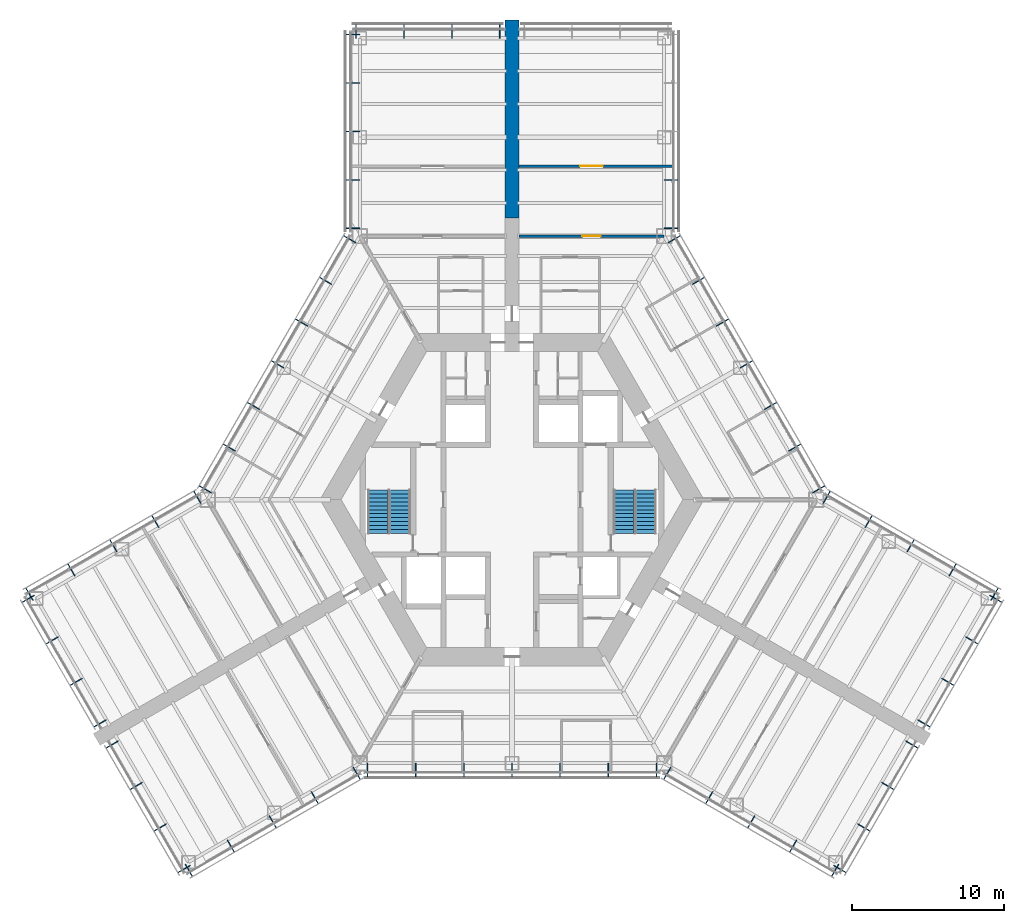
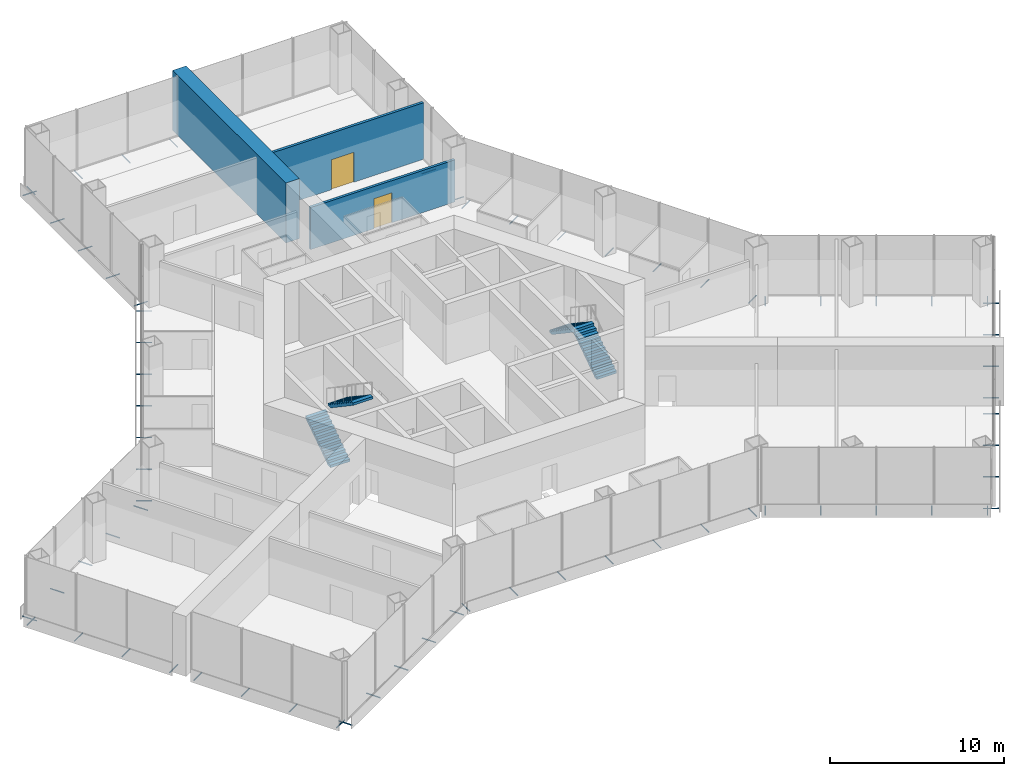
# One storey, part 14 of 17: 68 discrete accessories, 4 stair flights, 3 walls, 2 doors, 2 openings, 2 elements without a shape of their own.
"""IFC4 building model written with IfcOpenShell, lengths in metres."""

from ifc_helpers import new_model, si_unit, direction, frame, frame_2d, origin, origin_2d, place, context, subcontext, project, spatial, polyline, rectangle, hollow_circle, outline, extrude, material, layer, layer_set, material_profile, profile_set, type_object, element, fill, aggregate, save


model = new_model("IFC4")

# Units and contexts
model_context = context("Model", 3, precision=1e-05, world=origin(), true_north=direction((0.0, 1.0)))
body_context = subcontext(model_context, "Body", "Model", "MODEL_VIEW")
ifc_project = project(units=[si_unit("LENGTHUNIT", "METRE"), si_unit("AREAUNIT", "SQUARE_METRE"), si_unit("VOLUMEUNIT", "CUBIC_METRE"), si_unit("PLANEANGLEUNIT", "RADIAN"), si_unit("MASSUNIT", "GRAM", prefix="KILO")], contexts=[model_context])

# Site, building, storey
site_placement = place(None, origin())
site = spatial("IfcSite", under=ifc_project, at=site_placement, CompositionType="ELEMENT")
building_placement = place(site_placement, origin())
building = spatial("IfcBuilding", under=site, at=building_placement, Name="Kasaneha Research Tower", CompositionType="ELEMENT")
storey_placement = place(building_placement, frame((0.0, 0.0, 47.800048828125)))
storey = spatial("IfcBuildingStorey", under=building, at=storey_placement, Name="L12", CompositionType="ELEMENT", Elevation=47.800048828125)

# Wall, opening, door
ifc_material_1 = material(Name="Gypsum board on steel studs, two layers each side", Category="steel")
ifc_layer_1 = layer(ifc_material_1, 0.175048828125)
ifc_layer_set_1 = layer_set([ifc_layer_1], Name="Laboratory fire partition 175")
wall_type_1 = type_object("IfcWallType", Name="Laboratory fire partition 175", PredefinedType="PARTITIONING", material=ifc_layer_set_1)
wall_1_placement = place(storey_placement, frame((0.449951171875, 17.320556640625, 0.0), z_axis=(0.0, 0.0, 1.0), x_axis=(1.0, 0.0, 0.0)))
wall_1 = element("IfcWall", 1, at=wall_1_placement, inside=storey, type_object=wall_type_1, Name="Laboratory fire partition LABA-E L12", PredefinedType="PARTITIONING", context=body_context, shape_type="SweptSolid", body=[
    extrude(rectangle(XDim=9.550048828125, YDim=0.175048828125, at=frame_2d((4.77490234375, 0.0))), origin(), (0.0, 0.0, 1.0), 2.949951171875),
])
opening_1_placement = place(wall_1_placement, frame((4.175048828125, 0.0, 0.0)))
opening_1 = element("IfcOpeningElement", 2, at=opening_1_placement, cuts=wall_1, Name="Opening L12-D30", PredefinedType="OPENING", context=body_context, shape_type="SweptSolid", body=[
    extrude(rectangle(XDim=1.199951171875, YDim=2.10009765625, at=frame_2d((0.60009765625, 1.050048828125))), frame((0.0, 0.09765625, 0.0), z_axis=(0.0, -1.0, 0.0), x_axis=(1.0, 0.0, 0.0)), (0.0, 0.0, 1.0), 0.195068359375),
])
ifc_material_2 = material(Name="Steel", Category="steel")
door_type_1 = type_object("IfcDoorType", Name="Laboratory door FD60 1200x2100", OperationType="DOUBLE_DOOR_SINGLE_SWING", PredefinedType="DOOR", material=ifc_material_2)
door_1_placement = place(opening_1_placement, origin())
door_1 = element("IfcDoor", 3, at=door_1_placement, inside=storey, type_object=door_type_1, Name="Laboratory door L12-D30", OperationType="DOUBLE_DOOR_SINGLE_SWING", OverallHeight=2.10009765625, OverallWidth=1.199951171875, PredefinedType="DOOR", context=body_context, shape_type="SweptSolid", body=[
    extrude(rectangle(XDim=1.199951171875, YDim=2.10009765625, at=frame_2d((0.60009765625, 1.050048828125))), frame((0.0, 0.02490234375, 0.0), z_axis=(0.0, -1.0, 0.0), x_axis=(1.0, 0.0, 0.0)), (0.0, 0.0, 1.0), 0.050048828125),
])
fill(opening_1, door_1)

wall_2_placement = place(storey_placement, frame((0.449951171875, 21.92041015625, 0.0), z_axis=(0.0, 0.0, 1.0), x_axis=(1.0, 0.0, 0.0)))
wall_2 = element("IfcWall", 4, at=wall_2_placement, inside=storey, type_object=wall_type_1, Name="Laboratory fire partition INSA-E L12", PredefinedType="PARTITIONING", context=body_context, shape_type="SweptSolid", body=[
    extrude(rectangle(XDim=10.14013671875, YDim=0.175048828125, at=frame_2d((5.070068359375, 0.0))), origin(), (0.0, 0.0, 1.0), 3.949951171875),
])
opening_2_placement = place(wall_2_placement, frame((4.02490234375, 0.0, 0.0)))
opening_2 = element("IfcOpeningElement", 5, at=opening_2_placement, cuts=wall_2, Name="Opening L12-D33", PredefinedType="OPENING", context=body_context, shape_type="SweptSolid", body=[
    extrude(rectangle(XDim=1.5, YDim=2.10009765625, at=frame_2d((0.75, 1.050048828125))), frame((0.0, 0.09765625, 0.0), z_axis=(0.0, -1.0, 0.0), x_axis=(1.0, 0.0, 0.0)), (0.0, 0.0, 1.0), 0.195068359375),
])
ifc_material_3 = material(Name="Steel", Category="steel")
door_type_2 = type_object("IfcDoorType", Name="Laboratory door FD60 1500x2100", OperationType="DOUBLE_DOOR_SINGLE_SWING", PredefinedType="DOOR", material=ifc_material_3)
door_2_placement = place(opening_2_placement, origin())
door_2 = element("IfcDoor", 6, at=door_2_placement, inside=storey, type_object=door_type_2, Name="Instrument room door L12-D33", OperationType="DOUBLE_DOOR_SINGLE_SWING", OverallHeight=2.10009765625, OverallWidth=1.5, PredefinedType="DOOR", context=body_context, shape_type="SweptSolid", body=[
    extrude(rectangle(XDim=1.5, YDim=2.10009765625, at=frame_2d((0.75, 1.050048828125))), frame((0.0, 0.02490234375, 0.0), z_axis=(0.0, -1.0, 0.0), x_axis=(1.0, 0.0, 0.0)), (0.0, 0.0, 1.0), 0.050048828125),
])
fill(opening_2, door_2)

# Wall
ifc_material_4 = material(Name="Concrete Fc100", Category="concrete")
ifc_layer_2 = layer(ifc_material_4, 0.89990234375)
ifc_layer_set_2 = layer_set([ifc_layer_2], Name="Spine wall 900 Fc100")
wall_type_2 = type_object("IfcWallType", Name="Spine wall 900 Fc100", PredefinedType="SHEAR", material=ifc_layer_set_2)
wall_3_placement = place(storey_placement, frame((0.0, 18.5205078125, 0.0), z_axis=(0.0, 0.0, 1.0), x_axis=(0.0, 1.0, 0.0)))
element("IfcWall", 7, at=wall_3_placement, inside=storey, type_object=wall_type_2, Name="Spine wall A wing L12", PredefinedType="SHEAR", context=body_context, shape_type="SweptSolid", body=[
    extrude(rectangle(XDim=13.0, YDim=0.89990234375, at=frame_2d((6.5, 0.0))), origin(), (0.0, 0.0, 1.0), 4.199951171875),
])

# Stair, stair flights
ifc_material_5 = material(Name="Concrete Fc24", Category="concrete")
stair_type = type_object("IfcStairType", Name="Half-turn stair 24 risers", PredefinedType="HALF_TURN_STAIR", material=ifc_material_5)
stair_1_placement = place(storey_placement, origin())
stair_1 = element("IfcStair", 8, at=stair_1_placement, inside=storey, type_object=stair_type, Name="Stair 1 L12", PredefinedType="HALF_TURN_STAIR")
ifc_material_6 = material(Name="Concrete Fc24", Category="concrete")
stair_flight_type = type_object("IfcStairFlightType", Name="Stair flight 12 risers 175.0", PredefinedType="STRAIGHT", material=ifc_material_6)
stair_flight_1_placement = place(storey_placement, frame((8.824951171875, -2.22509765625, 0.0), z_axis=(0.0, 0.0, 1.0), x_axis=(0.0, 1.0, 0.0)))
stair_flight_1 = element("IfcStairFlight", 9, at=stair_flight_1_placement, type_object=stair_flight_type, Name="ST1-24R flight 1", NumberOfRisers=12, NumberOfTreads=11, PredefinedType="STRAIGHT", RiserHeight=0.175, TreadLength=0.26, context=body_context, shape_type="SweptSolid", body=[
    extrude(outline(polyline([(0.0, 0.0), (0.0, 0.175048828125), (0.260009765625, 0.175048828125), (0.260009765625, 0.35009765625), (0.52001953125, 0.35009765625), (0.52001953125, 0.52490234375), (0.780029296875, 0.52490234375), (0.780029296875, 0.699951171875), (1.0400390625, 0.699951171875), (1.0400390625, 0.875), (1.300048828125, 0.875), (1.300048828125, 1.050048828125), (1.56005859375, 1.050048828125), (1.56005859375, 1.22509765625), (1.820068359375, 1.22509765625), (1.820068359375, 1.39990234375), (2.080078125, 1.39990234375), (2.080078125, 1.574951171875), (2.340087890625, 1.574951171875), (2.340087890625, 1.75), (2.60009765625, 1.75), (2.60009765625, 1.925048828125), (2.860107421875, 1.925048828125), (2.860107421875, 2.10009765625), (2.860107421875, 1.744384765625), (0.2685546875, 0.0), (0.0, 0.0)])), frame((0.0, 0.64990234375, 0.0), z_axis=(0.0, -1.0, 0.0), x_axis=(1.0, 0.0, 0.0)), (0.0, 0.0, 1.0), 1.300048828125),
])
stair_flight_2_placement = place(storey_placement, frame((7.324951171875, 0.635009765625, 2.099853515625), z_axis=(0.0, 0.0, 1.0), x_axis=(0.0, -1.0, 0.0)))
stair_flight_2 = element("IfcStairFlight", 10, at=stair_flight_2_placement, type_object=stair_flight_type, Name="ST1-24R flight 2", NumberOfRisers=12, NumberOfTreads=11, PredefinedType="STRAIGHT", RiserHeight=0.175, TreadLength=0.26, context=body_context, shape_type="SweptSolid", body=[
    extrude(outline(polyline([(0.0, 0.0), (0.0, 0.175048828125), (0.260009765625, 0.175048828125), (0.260009765625, 0.35009765625), (0.52001953125, 0.35009765625), (0.52001953125, 0.52490234375), (0.780029296875, 0.52490234375), (0.780029296875, 0.699951171875), (1.0400390625, 0.699951171875), (1.0400390625, 0.875), (1.300048828125, 0.875), (1.300048828125, 1.050048828125), (1.56005859375, 1.050048828125), (1.56005859375, 1.22509765625), (1.820068359375, 1.22509765625), (1.820068359375, 1.39990234375), (2.080078125, 1.39990234375), (2.080078125, 1.574951171875), (2.340087890625, 1.574951171875), (2.340087890625, 1.75), (2.60009765625, 1.75), (2.60009765625, 1.925048828125), (2.860107421875, 1.925048828125), (2.860107421875, 2.10009765625), (2.860107421875, 1.744384765625), (0.2685546875, 0.0), (0.0, 0.0)])), frame((0.0, 0.64990234375, 0.0), z_axis=(0.0, -1.0, 0.0), x_axis=(1.0, 0.0, 0.0)), (0.0, 0.0, 1.0), 1.300048828125),
])
aggregate(stair_1, [stair_flight_1, stair_flight_2])

stair_2_placement = place(storey_placement, origin())
stair_2 = element("IfcStair", 11, at=stair_2_placement, inside=storey, type_object=stair_type, Name="Stair 2 L12", PredefinedType="HALF_TURN_STAIR")
stair_flight_3_placement = place(storey_placement, frame((-8.824951171875, -2.22509765625, 0.0), z_axis=(0.0, 0.0, 1.0), x_axis=(0.0, 1.0, 0.0)))
stair_flight_3 = element("IfcStairFlight", 12, at=stair_flight_3_placement, type_object=stair_flight_type, Name="ST2-24R flight 1", NumberOfRisers=12, NumberOfTreads=11, PredefinedType="STRAIGHT", RiserHeight=0.175, TreadLength=0.26, context=body_context, shape_type="SweptSolid", body=[
    extrude(outline(polyline([(0.0, 0.0), (0.0, 0.175048828125), (0.260009765625, 0.175048828125), (0.260009765625, 0.35009765625), (0.52001953125, 0.35009765625), (0.52001953125, 0.52490234375), (0.780029296875, 0.52490234375), (0.780029296875, 0.699951171875), (1.0400390625, 0.699951171875), (1.0400390625, 0.875), (1.300048828125, 0.875), (1.300048828125, 1.050048828125), (1.56005859375, 1.050048828125), (1.56005859375, 1.22509765625), (1.820068359375, 1.22509765625), (1.820068359375, 1.39990234375), (2.080078125, 1.39990234375), (2.080078125, 1.574951171875), (2.340087890625, 1.574951171875), (2.340087890625, 1.75), (2.60009765625, 1.75), (2.60009765625, 1.925048828125), (2.860107421875, 1.925048828125), (2.860107421875, 2.10009765625), (2.860107421875, 1.744384765625), (0.2685546875, 0.0), (0.0, 0.0)])), frame((0.0, 0.64990234375, 0.0), z_axis=(0.0, -1.0, 0.0), x_axis=(1.0, 0.0, 0.0)), (0.0, 0.0, 1.0), 1.300048828125),
])
stair_flight_4_placement = place(storey_placement, frame((-7.324951171875, 0.635009765625, 2.099853515625), z_axis=(0.0, 0.0, 1.0), x_axis=(0.0, -1.0, 0.0)))
stair_flight_4 = element("IfcStairFlight", 13, at=stair_flight_4_placement, type_object=stair_flight_type, Name="ST2-24R flight 2", NumberOfRisers=12, NumberOfTreads=11, PredefinedType="STRAIGHT", RiserHeight=0.175, TreadLength=0.26, context=body_context, shape_type="SweptSolid", body=[
    extrude(outline(polyline([(0.0, 0.0), (0.0, 0.175048828125), (0.260009765625, 0.175048828125), (0.260009765625, 0.35009765625), (0.52001953125, 0.35009765625), (0.52001953125, 0.52490234375), (0.780029296875, 0.52490234375), (0.780029296875, 0.699951171875), (1.0400390625, 0.699951171875), (1.0400390625, 0.875), (1.300048828125, 0.875), (1.300048828125, 1.050048828125), (1.56005859375, 1.050048828125), (1.56005859375, 1.22509765625), (1.820068359375, 1.22509765625), (1.820068359375, 1.39990234375), (2.080078125, 1.39990234375), (2.080078125, 1.574951171875), (2.340087890625, 1.574951171875), (2.340087890625, 1.75), (2.60009765625, 1.75), (2.60009765625, 1.925048828125), (2.860107421875, 1.925048828125), (2.860107421875, 2.10009765625), (2.860107421875, 1.744384765625), (0.2685546875, 0.0), (0.0, 0.0)])), frame((0.0, 0.64990234375, 0.0), z_axis=(0.0, -1.0, 0.0), x_axis=(1.0, 0.0, 0.0)), (0.0, 0.0, 1.0), 1.300048828125),
])
aggregate(stair_2, [stair_flight_3, stair_flight_4])

# Discrete accessories
ifc_material_7 = material(Name="Steel STK400", Category="steel")
ifc_material_profile = material_profile(ifc_material_7, hollow_circle(Radius=0.0380859375, WallThickness=0.00390625, at=origin_2d()), Name="CHS-76.3x4.0")
ifc_profile_set = profile_set([ifc_material_profile], Name="Steel STK400")
discrete_accessory_type = type_object("IfcDiscreteAccessoryType", Name="Screen bracket CHS-76.3x4.0", PredefinedType="BRACKET", material=ifc_profile_set)
discrete_accessory_1_placement = place(storey_placement, frame((-21.474853515625, -23.945556640625, -0.320068359375), z_axis=(0.500021113727, -0.866013213425, 0.0), x_axis=(0.866013213425, 0.500021113727, 0.0)))
element("IfcDiscreteAccessory", 14, at=discrete_accessory_1_placement, inside=storey, type_object=discrete_accessory_type, Name="Screen bracket 1", PredefinedType="BRACKET", context=body_context, shape_type="SweptSolid", body=[
    extrude(hollow_circle(Radius=0.0380859375, WallThickness=0.00390625, at=origin_2d()), origin(), (0.0, 0.0, 1.0), 0.919921875),
])
discrete_accessory_2_placement = place(storey_placement, frame((-18.716796875, -22.35302734375, -0.320068359375), z_axis=(0.500105201737, -0.865964657013, 0.0), x_axis=(0.865964657013, 0.500105201737, 0.0)))
element("IfcDiscreteAccessory", 15, at=discrete_accessory_2_placement, inside=storey, type_object=discrete_accessory_type, Name="Screen bracket 2", PredefinedType="BRACKET", context=body_context, shape_type="SweptSolid", body=[
    extrude(hollow_circle(Radius=0.0380859375, WallThickness=0.00390625, at=origin_2d()), origin(), (0.0, 0.0, 1.0), 0.920166015625),
])
discrete_accessory_3_placement = place(storey_placement, frame((-15.95849609375, -20.7607421875, -0.320068359375), z_axis=(0.500021113727, -0.866013213425, 0.0), x_axis=(0.866013213425, 0.500021113727, 0.0)))
element("IfcDiscreteAccessory", 16, at=discrete_accessory_3_placement, inside=storey, type_object=discrete_accessory_type, Name="Screen bracket 3", PredefinedType="BRACKET", context=body_context, shape_type="SweptSolid", body=[
    extrude(hollow_circle(Radius=0.0380859375, WallThickness=0.00390625, at=origin_2d()), origin(), (0.0, 0.0, 1.0), 0.919921875),
])
discrete_accessory_4_placement = place(storey_placement, frame((-13.200439453125, -19.168212890625, -0.320068359375), z_axis=(0.499906209203, -0.866079547155, 0.0), x_axis=(0.866079547155, 0.499906209203, 0.0)))
element("IfcDiscreteAccessory", 17, at=discrete_accessory_4_placement, inside=storey, type_object=discrete_accessory_type, Name="Screen bracket 4", PredefinedType="BRACKET", context=body_context, shape_type="SweptSolid", body=[
    extrude(hollow_circle(Radius=0.0380859375, WallThickness=0.00390625, at=origin_2d()), origin(), (0.0, 0.0, 1.0), 0.920166015625),
])
for number, where, z_axis, x_axis, name in (
    (18, (-10.4423828125, -17.575927734375, -0.320068359375), (0.500021113727, -0.866013213425, 0.0), (0.866013213425, 0.500021113727, 0.0), "Screen bracket 5"),
    (19, (-9.4892578125, -17.320556640625, -0.320068359375), (0.0, -1.0, 0.0), (1.0, 0.0, 0.0), "Screen bracket 1"),
    (20, (-6.326171875, -17.320556640625, -0.320068359375), (0.0, -1.0, 0.0), (1.0, 0.0, 0.0), "Screen bracket 2"),
    (21, (-3.1630859375, -17.320556640625, -0.320068359375), (0.0, -1.0, 0.0), (1.0, 0.0, 0.0), "Screen bracket 3"),
    (22, (0.0, -17.320556640625, -0.320068359375), (0.0, -1.0, 0.0), (1.0, 0.0, 0.0), "Screen bracket 4"),
    (23, (3.1630859375, -17.320556640625, -0.320068359375), (0.0, -1.0, 0.0), (1.0, 0.0, 0.0), "Screen bracket 5"),
    (24, (6.326171875, -17.320556640625, -0.320068359375), (0.0, -1.0, 0.0), (1.0, 0.0, 0.0), "Screen bracket 6"),
    (25, (9.4892578125, -17.320556640625, -0.320068359375), (0.0, -1.0, 0.0), (1.0, 0.0, 0.0), "Screen bracket 7"),
    (26, (10.4423828125, -17.575927734375, -0.320068359375), (-0.500021113727, -0.866013213425, 0.0), (0.866013213425, -0.500021113727, 0.0), "Screen bracket 1"),
):
    element("IfcDiscreteAccessory", number, at=place(storey_placement, frame(where, z_axis=z_axis, x_axis=x_axis)), inside=storey, type_object=discrete_accessory_type, Name=name, PredefinedType="BRACKET", context=body_context, shape_type="SweptSolid", body=[
        extrude(hollow_circle(Radius=0.0380859375, WallThickness=0.00390625, at=origin_2d()), origin(), (0.0, 0.0, 1.0), 0.919921875),
    ])
discrete_accessory_5_placement = place(storey_placement, frame((13.200439453125, -19.168212890625, -0.320068359375), z_axis=(-0.499906209203, -0.866079547155, 0.0), x_axis=(0.866079547155, -0.499906209203, 0.0)))
element("IfcDiscreteAccessory", 27, at=discrete_accessory_5_placement, inside=storey, type_object=discrete_accessory_type, Name="Screen bracket 2", PredefinedType="BRACKET", context=body_context, shape_type="SweptSolid", body=[
    extrude(hollow_circle(Radius=0.0380859375, WallThickness=0.00390625, at=origin_2d()), origin(), (0.0, 0.0, 1.0), 0.920166015625),
])
discrete_accessory_6_placement = place(storey_placement, frame((15.95849609375, -20.7607421875, -0.320068359375), z_axis=(-0.500021113727, -0.866013213425, 0.0), x_axis=(0.866013213425, -0.500021113727, 0.0)))
element("IfcDiscreteAccessory", 28, at=discrete_accessory_6_placement, inside=storey, type_object=discrete_accessory_type, Name="Screen bracket 3", PredefinedType="BRACKET", context=body_context, shape_type="SweptSolid", body=[
    extrude(hollow_circle(Radius=0.0380859375, WallThickness=0.00390625, at=origin_2d()), origin(), (0.0, 0.0, 1.0), 0.919921875),
])
discrete_accessory_7_placement = place(storey_placement, frame((18.716796875, -22.35302734375, -0.320068359375), z_axis=(-0.500105201737, -0.865964657013, 0.0), x_axis=(0.865964657013, -0.500105201737, 0.0)))
element("IfcDiscreteAccessory", 29, at=discrete_accessory_7_placement, inside=storey, type_object=discrete_accessory_type, Name="Screen bracket 4", PredefinedType="BRACKET", context=body_context, shape_type="SweptSolid", body=[
    extrude(hollow_circle(Radius=0.0380859375, WallThickness=0.00390625, at=origin_2d()), origin(), (0.0, 0.0, 1.0), 0.920166015625),
])
discrete_accessory_8_placement = place(storey_placement, frame((21.474853515625, -23.945556640625, -0.320068359375), z_axis=(-0.500021113727, -0.866013213425, 0.0), x_axis=(0.866013213425, -0.500021113727, 0.0)))
element("IfcDiscreteAccessory", 30, at=discrete_accessory_8_placement, inside=storey, type_object=discrete_accessory_type, Name="Screen bracket 5", PredefinedType="BRACKET", context=body_context, shape_type="SweptSolid", body=[
    extrude(hollow_circle(Radius=0.0380859375, WallThickness=0.00390625, at=origin_2d()), origin(), (0.0, 0.0, 1.0), 0.919921875),
])
for number, where, z_axis, x_axis, name in (
    (31, (21.13330078125, -24.037109375, -0.320068359375), (0.866079547155, -0.499906209203, 0.0), (0.499906209203, 0.866079547155, 0.0), "Screen bracket 1"),
    (32, (22.708251953125, -21.30908203125, -0.320068359375), (0.866079547155, -0.499906209203, 0.0), (0.499906209203, 0.866079547155, 0.0), "Screen bracket 2"),
):
    element("IfcDiscreteAccessory", number, at=place(storey_placement, frame(where, z_axis=z_axis, x_axis=x_axis)), inside=storey, type_object=discrete_accessory_type, Name=name, PredefinedType="BRACKET", context=body_context, shape_type="SweptSolid", body=[
        extrude(hollow_circle(Radius=0.0380859375, WallThickness=0.00390625, at=origin_2d()), origin(), (0.0, 0.0, 1.0), 0.920166015625),
    ])
for number, where, z_axis, x_axis, name in (
    (33, (24.283447265625, -18.5810546875, -0.320068359375), (0.866013213425, -0.500021113727, 0.0), (0.500021113727, 0.866013213425, 0.0), "Screen bracket 3"),
    (34, (25.8583984375, -15.85302734375, -0.320068359375), (0.866013213425, -0.500021113727, 0.0), (0.500021113727, 0.866013213425, 0.0), "Screen bracket 4"),
    (35, (26.658447265625, -14.467529296875, -0.320068359375), (0.866013213425, -0.500021113727, 0.0), (0.500021113727, 0.866013213425, 0.0), "Screen bracket 1"),
    (36, (28.2333984375, -11.739501953125, -0.320068359375), (0.866013213425, -0.500021113727, 0.0), (0.500021113727, 0.866013213425, 0.0), "Screen bracket 2"),
    (37, (29.808349609375, -9.011474609375, -0.320068359375), (0.866013213425, -0.500021113727, 0.0), (0.500021113727, 0.866013213425, 0.0), "Screen bracket 3"),
):
    element("IfcDiscreteAccessory", number, at=place(storey_placement, frame(where, z_axis=z_axis, x_axis=x_axis)), inside=storey, type_object=discrete_accessory_type, Name=name, PredefinedType="BRACKET", context=body_context, shape_type="SweptSolid", body=[
        extrude(hollow_circle(Radius=0.0380859375, WallThickness=0.00390625, at=origin_2d()), origin(), (0.0, 0.0, 1.0), 0.919921875),
    ])
discrete_accessory_9_placement = place(storey_placement, frame((31.38330078125, -6.283447265625, -0.320068359375), z_axis=(0.866079547155, -0.499906209203, 0.0), x_axis=(0.499906209203, 0.866079547155, 0.0)))
element("IfcDiscreteAccessory", 38, at=discrete_accessory_9_placement, inside=storey, type_object=discrete_accessory_type, Name="Screen bracket 4", PredefinedType="BRACKET", context=body_context, shape_type="SweptSolid", body=[
    extrude(hollow_circle(Radius=0.0380859375, WallThickness=0.00390625, at=origin_2d()), origin(), (0.0, 0.0, 1.0), 0.920166015625),
])
discrete_accessory_10_placement = place(storey_placement, frame((31.474853515625, -6.625, -0.320068359375), z_axis=(0.500021113727, 0.866013213425, 0.0), x_axis=(-0.866013213425, 0.500021113727, 0.0)))
element("IfcDiscreteAccessory", 39, at=discrete_accessory_10_placement, inside=storey, type_object=discrete_accessory_type, Name="Screen bracket 1", PredefinedType="BRACKET", context=body_context, shape_type="SweptSolid", body=[
    extrude(hollow_circle(Radius=0.0380859375, WallThickness=0.00390625, at=origin_2d()), origin(), (0.0, 0.0, 1.0), 0.919921875),
])
discrete_accessory_11_placement = place(storey_placement, frame((28.716796875, -5.03271484375, -0.320068359375), z_axis=(0.499906209203, 0.866079547155, 0.0), x_axis=(-0.866079547155, 0.499906209203, 0.0)))
element("IfcDiscreteAccessory", 40, at=discrete_accessory_11_placement, inside=storey, type_object=discrete_accessory_type, Name="Screen bracket 2", PredefinedType="BRACKET", context=body_context, shape_type="SweptSolid", body=[
    extrude(hollow_circle(Radius=0.0380859375, WallThickness=0.00390625, at=origin_2d()), origin(), (0.0, 0.0, 1.0), 0.920166015625),
])
discrete_accessory_12_placement = place(storey_placement, frame((25.95849609375, -3.440185546875, -0.320068359375), z_axis=(0.500220121494, 0.865898279276, 0.0), x_axis=(-0.865898279276, 0.500220121494, 0.0)))
element("IfcDiscreteAccessory", 41, at=discrete_accessory_12_placement, inside=storey, type_object=discrete_accessory_type, Name="Screen bracket 3", PredefinedType="BRACKET", context=body_context, shape_type="SweptSolid", body=[
    extrude(hollow_circle(Radius=0.0380859375, WallThickness=0.00390625, at=origin_2d()), origin(), (0.0, 0.0, 1.0), 0.919921875),
])
discrete_accessory_13_placement = place(storey_placement, frame((23.200439453125, -1.847900390625, -0.320068359375), z_axis=(0.499906209203, 0.866079547155, 0.0), x_axis=(-0.866079547155, 0.499906209203, 0.0)))
element("IfcDiscreteAccessory", 42, at=discrete_accessory_13_placement, inside=storey, type_object=discrete_accessory_type, Name="Screen bracket 4", PredefinedType="BRACKET", context=body_context, shape_type="SweptSolid", body=[
    extrude(hollow_circle(Radius=0.0380859375, WallThickness=0.00390625, at=origin_2d()), origin(), (0.0, 0.0, 1.0), 0.920166015625),
])
for number, where, z_axis, x_axis, name in (
    (43, (20.4423828125, -0.25537109375, -0.320068359375), (0.500021113727, 0.866013213425, 0.0), (-0.866013213425, 0.500021113727, 0.0), "Screen bracket 5"),
    (44, (19.74462890625, 0.4423828125, -0.320068359375), (0.866013213425, 0.500021113727, 0.0), (-0.500021113727, 0.866013213425, 0.0), "Screen bracket 1"),
    (45, (18.1630859375, 3.181640625, -0.320068359375), (0.866013213425, 0.500021113727, 0.0), (-0.500021113727, 0.866013213425, 0.0), "Screen bracket 2"),
    (46, (16.58154296875, 5.9208984375, -0.320068359375), (0.866013213425, 0.500021113727, 0.0), (-0.500021113727, 0.866013213425, 0.0), "Screen bracket 3"),
    (47, (15.0, 8.66015625, -0.320068359375), (0.865898279276, 0.500220121494, 0.0), (-0.500220121494, 0.865898279276, 0.0), "Screen bracket 4"),
    (48, (13.41845703125, 11.399658203125, -0.320068359375), (0.866013213425, 0.500021113727, 0.0), (-0.500021113727, 0.866013213425, 0.0), "Screen bracket 5"),
    (49, (11.8369140625, 14.138916015625, -0.320068359375), (0.866013213425, 0.500021113727, 0.0), (-0.500021113727, 0.866013213425, 0.0), "Screen bracket 6"),
):
    element("IfcDiscreteAccessory", number, at=place(storey_placement, frame(where, z_axis=z_axis, x_axis=x_axis)), inside=storey, type_object=discrete_accessory_type, Name=name, PredefinedType="BRACKET", context=body_context, shape_type="SweptSolid", body=[
        extrude(hollow_circle(Radius=0.0380859375, WallThickness=0.00390625, at=origin_2d()), origin(), (0.0, 0.0, 1.0), 0.919921875),
    ])
discrete_accessory_14_placement = place(storey_placement, frame((10.25537109375, 16.878173828125, -0.320068359375), z_axis=(0.866079547155, 0.499906209203, 0.0), x_axis=(-0.499906209203, 0.866079547155, 0.0)))
element("IfcDiscreteAccessory", 50, at=discrete_accessory_14_placement, inside=storey, type_object=discrete_accessory_type, Name="Screen bracket 7", PredefinedType="BRACKET", context=body_context, shape_type="SweptSolid", body=[
    extrude(hollow_circle(Radius=0.0380859375, WallThickness=0.00390625, at=origin_2d()), origin(), (0.0, 0.0, 1.0), 0.920166015625),
])
for number, where, z_axis, x_axis, name in (
    (51, (10.0, 17.831298828125, -0.320068359375), (1.0, 0.0, 0.0), (0.0, 1.0, 0.0), "Screen bracket 1"),
    (52, (10.0, 21.01611328125, -0.320068359375), (1.0, 0.0, 0.0), (0.0, 1.0, 0.0), "Screen bracket 2"),
    (53, (-0.800048828125, 30.320556640625, -0.320068359375), (0.0, 1.0, 0.0), (-1.0, 0.0, 0.0), "Screen bracket 1"),
    (54, (-3.949951171875, 30.320556640625, -0.320068359375), (0.0, 1.0, 0.0), (-1.0, 0.0, 0.0), "Screen bracket 2"),
    (55, (-7.10009765625, 30.320556640625, -0.320068359375), (0.0, 1.0, 0.0), (-1.0, 0.0, 0.0), "Screen bracket 3"),
    (56, (-10.25, 30.320556640625, -0.320068359375), (0.0, 1.0, 0.0), (-1.0, 0.0, 0.0), "Screen bracket 4"),
    (57, (-10.0, 30.570556640625, -0.320068359375), (-1.0, 0.0, 0.0), (0.0, -1.0, 0.0), "Screen bracket 1"),
    (58, (-10.0, 27.3857421875, -0.320068359375), (-1.0, 0.0, 0.0), (0.0, -1.0, 0.0), "Screen bracket 2"),
    (59, (-10.0, 24.200927734375, -0.320068359375), (-1.0, 0.0, 0.0), (0.0, -1.0, 0.0), "Screen bracket 3"),
    (60, (-10.0, 21.01611328125, -0.320068359375), (-1.0, 0.0, 0.0), (0.0, -1.0, 0.0), "Screen bracket 4"),
    (61, (-10.0, 17.831298828125, -0.320068359375), (-1.0, 0.0, 0.0), (0.0, -1.0, 0.0), "Screen bracket 5"),
):
    element("IfcDiscreteAccessory", number, at=place(storey_placement, frame(where, z_axis=z_axis, x_axis=x_axis)), inside=storey, type_object=discrete_accessory_type, Name=name, PredefinedType="BRACKET", context=body_context, shape_type="SweptSolid", body=[
        extrude(hollow_circle(Radius=0.0380859375, WallThickness=0.00390625, at=origin_2d()), origin(), (0.0, 0.0, 1.0), 0.919921875),
    ])
discrete_accessory_15_placement = place(storey_placement, frame((-10.25537109375, 16.878173828125, -0.320068359375), z_axis=(-0.866079547155, 0.499906209203, 0.0), x_axis=(-0.499906209203, -0.866079547155, 0.0)))
element("IfcDiscreteAccessory", 62, at=discrete_accessory_15_placement, inside=storey, type_object=discrete_accessory_type, Name="Screen bracket 1", PredefinedType="BRACKET", context=body_context, shape_type="SweptSolid", body=[
    extrude(hollow_circle(Radius=0.0380859375, WallThickness=0.00390625, at=origin_2d()), origin(), (0.0, 0.0, 1.0), 0.920166015625),
])
for number, where, z_axis, x_axis, name in (
    (63, (-11.8369140625, 14.138916015625, -0.320068359375), (-0.866013213425, 0.500021113727, 0.0), (-0.500021113727, -0.866013213425, 0.0), "Screen bracket 2"),
    (64, (-13.41845703125, 11.399658203125, -0.320068359375), (-0.866013213425, 0.500021113727, 0.0), (-0.500021113727, -0.866013213425, 0.0), "Screen bracket 3"),
    (65, (-15.0, 8.66015625, -0.320068359375), (-0.865898279276, 0.500220121494, 0.0), (-0.500220121494, -0.865898279276, 0.0), "Screen bracket 4"),
    (66, (-16.58154296875, 5.9208984375, -0.320068359375), (-0.866013213425, 0.500021113727, 0.0), (-0.500021113727, -0.866013213425, 0.0), "Screen bracket 5"),
    (67, (-18.1630859375, 3.181640625, -0.320068359375), (-0.866013213425, 0.500021113727, 0.0), (-0.500021113727, -0.866013213425, 0.0), "Screen bracket 6"),
    (68, (-19.74462890625, 0.4423828125, -0.320068359375), (-0.866013213425, 0.500021113727, 0.0), (-0.500021113727, -0.866013213425, 0.0), "Screen bracket 7"),
    (69, (-20.4423828125, -0.25537109375, -0.320068359375), (-0.500021113727, 0.866013213425, 0.0), (-0.866013213425, -0.500021113727, 0.0), "Screen bracket 1"),
):
    element("IfcDiscreteAccessory", number, at=place(storey_placement, frame(where, z_axis=z_axis, x_axis=x_axis)), inside=storey, type_object=discrete_accessory_type, Name=name, PredefinedType="BRACKET", context=body_context, shape_type="SweptSolid", body=[
        extrude(hollow_circle(Radius=0.0380859375, WallThickness=0.00390625, at=origin_2d()), origin(), (0.0, 0.0, 1.0), 0.919921875),
    ])
discrete_accessory_16_placement = place(storey_placement, frame((-23.200439453125, -1.847900390625, -0.320068359375), z_axis=(-0.499906209203, 0.866079547155, 0.0), x_axis=(-0.866079547155, -0.499906209203, 0.0)))
element("IfcDiscreteAccessory", 70, at=discrete_accessory_16_placement, inside=storey, type_object=discrete_accessory_type, Name="Screen bracket 2", PredefinedType="BRACKET", context=body_context, shape_type="SweptSolid", body=[
    extrude(hollow_circle(Radius=0.0380859375, WallThickness=0.00390625, at=origin_2d()), origin(), (0.0, 0.0, 1.0), 0.920166015625),
])
discrete_accessory_17_placement = place(storey_placement, frame((-25.95849609375, -3.440185546875, -0.320068359375), z_axis=(-0.500220121494, 0.865898279276, 0.0), x_axis=(-0.865898279276, -0.500220121494, 0.0)))
element("IfcDiscreteAccessory", 71, at=discrete_accessory_17_placement, inside=storey, type_object=discrete_accessory_type, Name="Screen bracket 3", PredefinedType="BRACKET", context=body_context, shape_type="SweptSolid", body=[
    extrude(hollow_circle(Radius=0.0380859375, WallThickness=0.00390625, at=origin_2d()), origin(), (0.0, 0.0, 1.0), 0.919921875),
])
discrete_accessory_18_placement = place(storey_placement, frame((-28.716796875, -5.03271484375, -0.320068359375), z_axis=(-0.499906209203, 0.866079547155, 0.0), x_axis=(-0.866079547155, -0.499906209203, 0.0)))
element("IfcDiscreteAccessory", 72, at=discrete_accessory_18_placement, inside=storey, type_object=discrete_accessory_type, Name="Screen bracket 4", PredefinedType="BRACKET", context=body_context, shape_type="SweptSolid", body=[
    extrude(hollow_circle(Radius=0.0380859375, WallThickness=0.00390625, at=origin_2d()), origin(), (0.0, 0.0, 1.0), 0.920166015625),
])
discrete_accessory_19_placement = place(storey_placement, frame((-31.474853515625, -6.625, -0.320068359375), z_axis=(-0.500021113727, 0.866013213425, 0.0), x_axis=(-0.866013213425, -0.500021113727, 0.0)))
element("IfcDiscreteAccessory", 73, at=discrete_accessory_19_placement, inside=storey, type_object=discrete_accessory_type, Name="Screen bracket 5", PredefinedType="BRACKET", context=body_context, shape_type="SweptSolid", body=[
    extrude(hollow_circle(Radius=0.0380859375, WallThickness=0.00390625, at=origin_2d()), origin(), (0.0, 0.0, 1.0), 0.919921875),
])
discrete_accessory_20_placement = place(storey_placement, frame((-31.38330078125, -6.283447265625, -0.320068359375), z_axis=(-0.866079547155, -0.499906209203, 0.0), x_axis=(0.499906209203, -0.866079547155, 0.0)))
element("IfcDiscreteAccessory", 74, at=discrete_accessory_20_placement, inside=storey, type_object=discrete_accessory_type, Name="Screen bracket 1", PredefinedType="BRACKET", context=body_context, shape_type="SweptSolid", body=[
    extrude(hollow_circle(Radius=0.0380859375, WallThickness=0.00390625, at=origin_2d()), origin(), (0.0, 0.0, 1.0), 0.920166015625),
])
for number, where, z_axis, x_axis, name in (
    (75, (-29.808349609375, -9.011474609375, -0.320068359375), (-0.866013213425, -0.500021113727, 0.0), (0.500021113727, -0.866013213425, 0.0), "Screen bracket 2"),
    (76, (-28.2333984375, -11.739501953125, -0.320068359375), (-0.866013213425, -0.500021113727, 0.0), (0.500021113727, -0.866013213425, 0.0), "Screen bracket 3"),
    (77, (-26.658447265625, -14.467529296875, -0.320068359375), (-0.866013213425, -0.500021113727, 0.0), (0.500021113727, -0.866013213425, 0.0), "Screen bracket 4"),
    (78, (-25.8583984375, -15.85302734375, -0.320068359375), (-0.866013213425, -0.500021113727, 0.0), (0.500021113727, -0.866013213425, 0.0), "Screen bracket 1"),
    (79, (-24.283447265625, -18.5810546875, -0.320068359375), (-0.866013213425, -0.500021113727, 0.0), (0.500021113727, -0.866013213425, 0.0), "Screen bracket 2"),
):
    element("IfcDiscreteAccessory", number, at=place(storey_placement, frame(where, z_axis=z_axis, x_axis=x_axis)), inside=storey, type_object=discrete_accessory_type, Name=name, PredefinedType="BRACKET", context=body_context, shape_type="SweptSolid", body=[
        extrude(hollow_circle(Radius=0.0380859375, WallThickness=0.00390625, at=origin_2d()), origin(), (0.0, 0.0, 1.0), 0.919921875),
    ])
for number, where, z_axis, x_axis, name in (
    (80, (-22.708251953125, -21.30908203125, -0.320068359375), (-0.866079547155, -0.499906209203, 0.0), (0.499906209203, -0.866079547155, 0.0), "Screen bracket 3"),
    (81, (-21.13330078125, -24.037109375, -0.320068359375), (-0.866079547155, -0.499906209203, 0.0), (0.499906209203, -0.866079547155, 0.0), "Screen bracket 4"),
):
    element("IfcDiscreteAccessory", number, at=place(storey_placement, frame(where, z_axis=z_axis, x_axis=x_axis)), inside=storey, type_object=discrete_accessory_type, Name=name, PredefinedType="BRACKET", context=body_context, shape_type="SweptSolid", body=[
        extrude(hollow_circle(Radius=0.0380859375, WallThickness=0.00390625, at=origin_2d()), origin(), (0.0, 0.0, 1.0), 0.920166015625),
    ])

save(model, "model.ifc")
